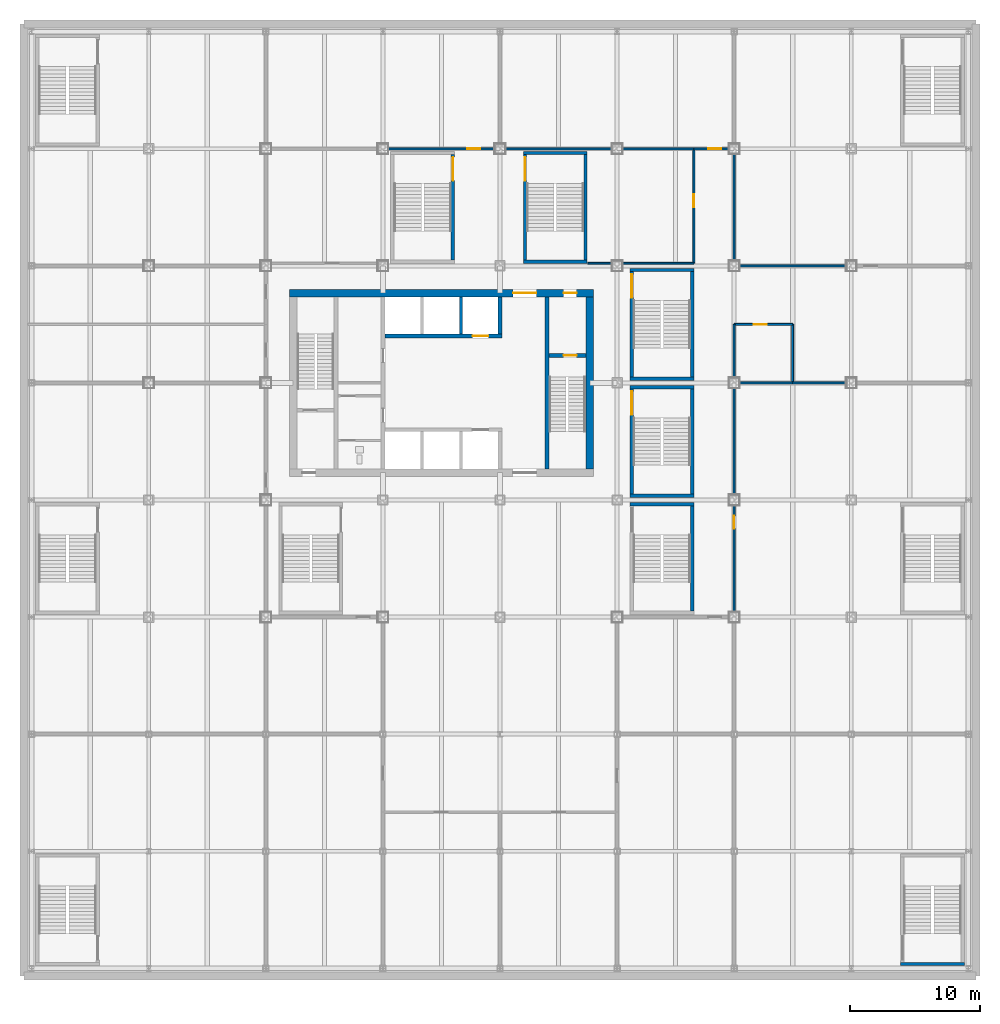
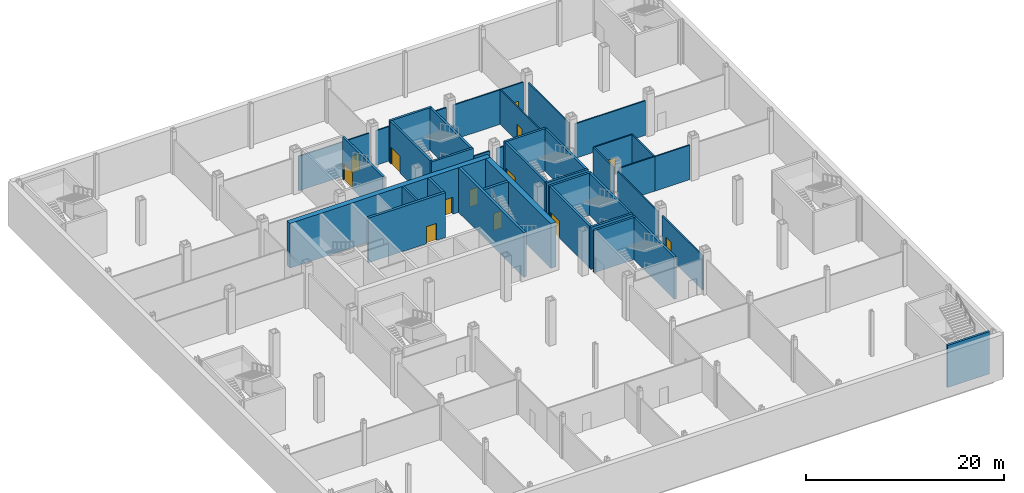
# One storey, part 10 of 27: 39 walls, 13 doors, 13 openings.
"""IFC4 building model written with IfcOpenShell, lengths in metres."""

from ifc_helpers import new_model, si_unit, direction, frame, frame_2d, origin, place, context, subcontext, project, spatial, rectangle, extrude, material, layer, layer_set, type_object, element, fill, save


model = new_model("IFC4")

# Units and contexts
model_context = context("Model", 3, precision=1e-05, world=origin(), true_north=direction((0.0, 1.0)))
body_context = subcontext(model_context, "Body", "Model", "MODEL_VIEW")
ifc_project = project(units=[si_unit("LENGTHUNIT", "METRE"), si_unit("AREAUNIT", "SQUARE_METRE"), si_unit("VOLUMEUNIT", "CUBIC_METRE"), si_unit("PLANEANGLEUNIT", "RADIAN"), si_unit("MASSUNIT", "GRAM", prefix="KILO")], contexts=[model_context])

# Site, building, storey
site_placement = place(None, origin())
site = spatial("IfcSite", under=ifc_project, at=site_placement, CompositionType="ELEMENT")
building_placement = place(site_placement, origin())
building = spatial("IfcBuilding", under=site, at=building_placement, Name="Loomwork Tower", CompositionType="ELEMENT")
storey_placement = place(building_placement, frame((0.0, 0.0, -5.5)))
storey = spatial("IfcBuildingStorey", under=building, at=storey_placement, Name="B1", CompositionType="ELEMENT", Elevation=-5.5)

# Wall, opening, door
ifc_material_1 = material(Name="Concrete 14000 psi (97 MPa)", Category="concrete")
ifc_layer_1 = layer(ifc_material_1, 0.300048828125)
ifc_layer_set_1 = layer_set([ifc_layer_1], Name="Core shear wall 300")
wall_type_1 = type_object("IfcWallType", Name="Core shear wall 300", PredefinedType="SHEAR", material=ifc_layer_set_1)
wall_1_placement = place(storey_placement, frame((18.14990234375, 21.60009765625, 0.0), z_axis=(0.0, 0.0, 1.0), x_axis=(1.0, 0.0, 0.0)))
wall_1 = element("IfcWall", 1, at=wall_1_placement, inside=storey, type_object=wall_type_1, Name="Lift front wall north B1", PredefinedType="SHEAR", context=body_context, shape_type="SweptSolid", body=[
    extrude(rectangle(XDim=9.0, YDim=0.300048828125, at=frame_2d((4.5, 0.0))), origin(), (0.0, 0.0, 1.0), 5.5),
])
opening_1_placement = place(wall_1_placement, frame((6.75, 0.0, 0.0)))
opening_1 = element("IfcOpeningElement", 2, at=opening_1_placement, cuts=wall_1, Name="Opening LD2", PredefinedType="OPENING", context=body_context, shape_type="SweptSolid", body=[
    extrude(rectangle(XDim=1.199951171875, YDim=2.10009765625, at=frame_2d((0.60009765625, 1.050048828125))), frame((0.0, 0.159912109375, 0.0), z_axis=(0.0, -1.0, 0.0), x_axis=(1.0, 0.0, 0.0)), (0.0, 0.0, 1.0), 0.320068359375),
])
ifc_material_2 = material(Name="Hollow metal door and frame")
door_type_1 = type_object("IfcDoorType", Name="Lift landing door 1200", OperationType="SLIDING_TO_LEFT", PredefinedType="DOOR", material=ifc_material_2)
door_1_placement = place(opening_1_placement, origin())
door_1 = element("IfcDoor", 3, at=door_1_placement, inside=storey, type_object=door_type_1, Name="Lift landing door LF2", OperationType="SLIDING_TO_LEFT", OverallHeight=2.10009765625, OverallWidth=1.199951171875, PredefinedType="DOOR", context=body_context, shape_type="SweptSolid", body=[
    extrude(rectangle(XDim=1.199951171875, YDim=2.10009765625, at=frame_2d((0.60009765625, 1.050048828125))), frame((0.0, 0.02490234375, 0.0), z_axis=(0.0, -1.0, 0.0), x_axis=(1.0, 0.0, 0.0)), (0.0, 0.0, 1.0), 0.050048828125),
])
fill(opening_1, door_1)

# Walls
wall_2_placement = place(storey_placement, frame((27.0, 21.75, 0.0), z_axis=(0.0, 0.0, 1.0), x_axis=(0.0, 1.0, 0.0)))
element("IfcWall", 4, at=wall_2_placement, inside=storey, type_object=wall_type_1, Name="Lift shaft end wall north B1", PredefinedType="SHEAR", context=body_context, shape_type="SweptSolid", body=[
    extrude(rectangle(XDim=2.85009765625, YDim=0.300048828125, at=frame_2d((1.425048828125, 0.0))), origin(), (0.0, 0.0, 1.0), 5.5),
])
wall_3_placement = place(storey_placement, frame((30.60009765625, 11.39990234375, 0.0), z_axis=(0.0, 0.0, 1.0), x_axis=(0.0, 1.0, 0.0)))
element("IfcWall", 5, at=wall_3_placement, inside=storey, type_object=wall_type_1, Name="Stair B west wall B1", PredefinedType="SHEAR", context=body_context, shape_type="SweptSolid", body=[
    extrude(rectangle(XDim=13.2001953125, YDim=0.300048828125, at=frame_2d((6.60009765625, 0.0))), origin(), (0.0, 0.0, 1.0), 5.5),
])

# Wall, opening, door
wall_4_placement = place(storey_placement, frame((30.75, 20.10009765625, 0.0), z_axis=(0.0, 0.0, 1.0), x_axis=(1.0, 0.0, 0.0)))
wall_4 = element("IfcWall", 6, at=wall_4_placement, inside=storey, type_object=wall_type_1, Name="Stair B north wall B1", PredefinedType="SHEAR", context=body_context, shape_type="SweptSolid", body=[
    extrude(rectangle(XDim=2.85009765625, YDim=0.300048828125, at=frame_2d((1.425048828125, 0.0))), origin(), (0.0, 0.0, 1.0), 5.5),
])
opening_2_placement = place(wall_4_placement, frame((1.14990234375, 0.0, 0.0)))
opening_2 = element("IfcOpeningElement", 7, at=opening_2_placement, cuts=wall_4, Name="Opening D4", PredefinedType="OPENING", context=body_context, shape_type="SweptSolid", body=[
    extrude(rectangle(XDim=1.0, YDim=2.10009765625, at=frame_2d((0.5, 1.050048828125))), frame((0.0, 0.159912109375, 0.0), z_axis=(0.0, -1.0, 0.0), x_axis=(1.0, 0.0, 0.0)), (0.0, 0.0, 1.0), 0.320068359375),
])
ifc_material_3 = material(Name="Hollow metal door and frame")
door_type_2 = type_object("IfcDoorType", Name="Stair door 1000", OperationType="SINGLE_SWING_RIGHT", PredefinedType="DOOR", material=ifc_material_3)
door_2_placement = place(opening_2_placement, frame((1.0, 0.0, 0.0), z_axis=(0.0, 0.0, 1.0), x_axis=(-1.0, 0.0, 0.0)))
door_2 = element("IfcDoor", 8, at=door_2_placement, inside=storey, type_object=door_type_2, Name="Stair B door", OperationType="SINGLE_SWING_LEFT", OverallHeight=2.10009765625, OverallWidth=1.0, PredefinedType="DOOR", context=body_context, shape_type="SweptSolid", body=[
    extrude(rectangle(XDim=1.0, YDim=2.10009765625, at=frame_2d((0.5, 1.050048828125))), frame((0.0, 0.02490234375, 0.0), z_axis=(0.0, -1.0, 0.0), x_axis=(1.0, 0.0, 0.0)), (0.0, 0.0, 1.0), 0.050048828125),
])
fill(opening_2, door_2)

# Wall, openings, doors
ifc_material_4 = material(Name="Concrete 14000 psi (97 MPa)", Category="concrete")
ifc_layer_2 = layer(ifc_material_4, 0.60009765625)
ifc_layer_set_2 = layer_set([ifc_layer_2], Name="Core shear wall 600")
wall_type_2 = type_object("IfcWallType", Name="Core shear wall 600", PredefinedType="SHEAR", material=ifc_layer_set_2)
wall_5_placement = place(storey_placement, frame((10.800048828125, 24.89990234375, 0.0), z_axis=(0.0, 0.0, 1.0), x_axis=(1.0, 0.0, 0.0)))
wall_5 = element("IfcWall", 9, at=wall_5_placement, inside=storey, type_object=wall_type_2, Name="Core wall north B1", PredefinedType="SHEAR", context=body_context, shape_type="SweptSolid", body=[
    extrude(rectangle(XDim=23.39990234375, YDim=0.60009765625, at=frame_2d((11.699951171875, 0.0))), origin(), (0.0, 0.0, 1.0), 5.5),
])
opening_3_placement = place(wall_5_placement, frame((17.199951171875, 0.0, 0.0)))
opening_3 = element("IfcOpeningElement", 10, at=opening_3_placement, cuts=wall_5, Name="Opening D6", PredefinedType="OPENING", context=body_context, shape_type="SweptSolid", body=[
    extrude(rectangle(XDim=1.800048828125, YDim=2.10009765625, at=frame_2d((0.89990234375, 1.050048828125))), frame((0.0, 0.31005859375, 0.0), z_axis=(0.0, -1.0, 0.0), x_axis=(1.0, 0.0, 0.0)), (0.0, 0.0, 1.0), 0.6201171875),
])
opening_4_placement = place(wall_5_placement, frame((21.10009765625, 0.0, 0.0)))
opening_4 = element("IfcOpeningElement", 11, at=opening_4_placement, cuts=wall_5, Name="Opening D4", PredefinedType="OPENING", context=body_context, shape_type="SweptSolid", body=[
    extrude(rectangle(XDim=1.0, YDim=2.10009765625, at=frame_2d((0.5, 1.050048828125))), frame((0.0, 0.31005859375, 0.0), z_axis=(0.0, -1.0, 0.0), x_axis=(1.0, 0.0, 0.0)), (0.0, 0.0, 1.0), 0.6201171875),
])
ifc_material_5 = material(Name="Hollow metal door and frame")
door_type_3 = type_object("IfcDoorType", Name="Lobby passage double door 1800", OperationType="DOUBLE_DOOR_SINGLE_SWING", PredefinedType="DOOR", material=ifc_material_5)
door_3_placement = place(opening_3_placement, frame((1.800048828125, 0.0, 0.0), z_axis=(0.0, 0.0, 1.0), x_axis=(-1.0, 0.0, 0.0)))
door_3 = element("IfcDoor", 12, at=door_3_placement, inside=storey, type_object=door_type_3, Name="Lobby passage door north", OperationType="DOUBLE_DOOR_SINGLE_SWING", OverallHeight=2.10009765625, OverallWidth=1.800048828125, PredefinedType="DOOR", context=body_context, shape_type="SweptSolid", body=[
    extrude(rectangle(XDim=1.800048828125, YDim=2.10009765625, at=frame_2d((0.89990234375, 1.050048828125))), frame((0.0, 0.02490234375, 0.0), z_axis=(0.0, -1.0, 0.0), x_axis=(1.0, 0.0, 0.0)), (0.0, 0.0, 1.0), 0.050048828125),
])
fill(opening_3, door_3)
door_4_placement = place(opening_4_placement, frame((1.0, 0.0, 0.0), z_axis=(0.0, 0.0, 1.0), x_axis=(-1.0, 0.0, 0.0)))
door_4 = element("IfcDoor", 13, at=door_4_placement, inside=storey, type_object=door_type_2, Name="Stair B vestibule door", OperationType="SINGLE_SWING_LEFT", OverallHeight=2.10009765625, OverallWidth=1.0, PredefinedType="DOOR", context=body_context, shape_type="SweptSolid", body=[
    extrude(rectangle(XDim=1.0, YDim=2.10009765625, at=frame_2d((0.5, 1.050048828125))), frame((0.0, 0.02490234375, 0.0), z_axis=(0.0, -1.0, 0.0), x_axis=(1.0, 0.0, 0.0)), (0.0, 0.0, 1.0), 0.050048828125),
])
fill(opening_4, door_4)

# Walls
wall_6_placement = place(storey_placement, frame((33.89990234375, 11.39990234375, 0.0), z_axis=(0.0, 0.0, 1.0), x_axis=(0.0, 1.0, 0.0)))
element("IfcWall", 14, at=wall_6_placement, inside=storey, type_object=wall_type_2, Name="Core wall east B1", PredefinedType="SHEAR", context=body_context, shape_type="SweptSolid", body=[
    extrude(rectangle(XDim=13.2001953125, YDim=0.60009765625, at=frame_2d((6.60009765625, 0.0))), origin(), (0.0, 0.0, 1.0), 5.5),
])
ifc_material_6 = material(Name="Concrete 14000 psi (97 MPa)", Category="concrete")
ifc_layer_3 = layer(ifc_material_6, 0.199951171875)
ifc_layer_set_3 = layer_set([ifc_layer_3], Name="Lift shaft wall 200")
wall_type_3 = type_object("IfcWallType", Name="Lift shaft wall 200", PredefinedType="SHEAR", material=ifc_layer_set_3)
wall_7_placement = place(storey_placement, frame((24.0, 21.75, 0.0), z_axis=(0.0, 0.0, 1.0), x_axis=(0.0, 1.0, 0.0)))
element("IfcWall", 15, at=wall_7_placement, inside=storey, type_object=wall_type_3, Name="Lift shaft separation wall north 2 B1", PredefinedType="SHEAR", context=body_context, shape_type="SweptSolid", body=[
    extrude(rectangle(XDim=2.85009765625, YDim=0.199951171875, at=frame_2d((1.425048828125, 0.0))), origin(), (0.0, 0.0, 1.0), 5.5),
])

# Wall, opening, door
ifc_material_7 = material(Name="Gypsum board on steel studs, one-hour", Category="steel")
ifc_layer_4 = layer(ifc_material_7, 0.14990234375)
ifc_layer_set_4 = layer_set([ifc_layer_4], Name="Partition 150")
wall_type_4 = type_object("IfcWallType", Name="Partition 150", PredefinedType="PARTITIONING", material=ifc_layer_set_4)
wall_8_placement = place(storey_placement, frame((26.60009765625, 36.0, 0.0), z_axis=(0.0, 0.0, 1.0), x_axis=(-1.0, 0.0, 0.0)))
wall_8 = element("IfcWall", 16, at=wall_8_placement, inside=storey, type_object=wall_type_4, Name="Partition B1 14.1", PredefinedType="PARTITIONING", context=body_context, shape_type="SweptSolid", body=[
    extrude(rectangle(XDim=8.2001953125, YDim=0.14990234375, at=frame_2d((4.10009765625, 0.0))), origin(), (0.0, 0.0, 1.0), 4.252685546875),
])
opening_5_placement = place(wall_8_placement, frame((1.10009765625, 0.0, 0.0)))
opening_5 = element("IfcOpeningElement", 17, at=opening_5_placement, cuts=wall_8, Name="Opening D7", PredefinedType="OPENING", context=body_context, shape_type="SweptSolid", body=[
    extrude(rectangle(XDim=1.0, YDim=2.10009765625, at=frame_2d((0.5, 1.050048828125))), frame((0.0, 0.0849609375, 0.0), z_axis=(0.0, -1.0, 0.0), x_axis=(1.0, 0.0, 0.0)), (0.0, 0.0, 1.0), 0.169921875),
])
ifc_material_8 = material(Name="Hollow metal door and frame")
door_type_4 = type_object("IfcDoorType", Name="Room door 1000", OperationType="SINGLE_SWING_LEFT", PredefinedType="DOOR", material=ifc_material_8)
door_5_placement = place(opening_5_placement, origin())
door_5 = element("IfcDoor", 18, at=door_5_placement, inside=storey, type_object=door_type_4, Name="Retail unit B1-07 door", OperationType="SINGLE_SWING_RIGHT", OverallHeight=2.10009765625, OverallWidth=1.0, PredefinedType="DOOR", context=body_context, shape_type="SweptSolid", body=[
    extrude(rectangle(XDim=1.0, YDim=2.10009765625, at=frame_2d((0.5, 1.050048828125))), frame((0.0, 0.02490234375, 0.0), z_axis=(0.0, -1.0, 0.0), x_axis=(1.0, 0.0, 0.0)), (0.0, 0.0, 1.0), 0.050048828125),
])
fill(opening_5, door_5)

# Walls
wall_9_placement = place(storey_placement, frame((41.89990234375, 36.0, 0.0), z_axis=(0.0, 0.0, 1.0), x_axis=(-1.0, 0.0, 0.0)))
element("IfcWall", 19, at=wall_9_placement, inside=storey, type_object=wall_type_4, Name="Partition B1 22.1", PredefinedType="PARTITIONING", context=body_context, shape_type="SweptSolid", body=[
    extrude(rectangle(XDim=5.5, YDim=0.14990234375, at=frame_2d((2.75, 0.0))), origin(), (0.0, 0.0, 1.0), 4.252685546875),
])
wall_10_placement = place(storey_placement, frame((35.60009765625, 36.0, 0.0), z_axis=(0.0, 0.0, 1.0), x_axis=(-1.0, 0.0, 0.0)))
element("IfcWall", 20, at=wall_10_placement, inside=storey, type_object=wall_type_4, Name="Partition B1 22.2", PredefinedType="PARTITIONING", context=body_context, shape_type="SweptSolid", body=[
    extrude(rectangle(XDim=8.2001953125, YDim=0.14990234375, at=frame_2d((4.10009765625, 0.0))), origin(), (0.0, 0.0, 1.0), 4.252685546875),
])
wall_11_placement = place(storey_placement, frame((41.89990234375, 27.199951171875, 0.0), z_axis=(0.0, 0.0, 1.0), x_axis=(-1.0, 0.0, 0.0)))
element("IfcWall", 21, at=wall_11_placement, inside=storey, type_object=wall_type_4, Name="Partition B1 24.1", PredefinedType="PARTITIONING", context=body_context, shape_type="SweptSolid", body=[
    extrude(rectangle(XDim=5.5, YDim=0.14990234375, at=frame_2d((2.75, 0.0))), origin(), (0.0, 0.0, 1.0), 4.252685546875),
])
wall_12_placement = place(storey_placement, frame((35.60009765625, 27.199951171875, 0.0), z_axis=(0.0, 0.0, 1.0), x_axis=(-1.0, 0.0, 0.0)))
element("IfcWall", 22, at=wall_12_placement, inside=storey, type_object=wall_type_4, Name="Partition B1 24.2", PredefinedType="PARTITIONING", context=body_context, shape_type="SweptSolid", body=[
    extrude(rectangle(XDim=1.85009765625, YDim=0.14990234375, at=frame_2d((0.925048828125, 0.0))), origin(), (0.0, 0.0, 1.0), 4.252685546875),
])

# Wall, opening, door
wall_13_placement = place(storey_placement, frame((41.89990234375, 36.0, 0.0), z_axis=(0.0, 0.0, 1.0), x_axis=(0.0, -1.0, 0.0)))
wall_13 = element("IfcWall", 23, at=wall_13_placement, inside=storey, type_object=wall_type_4, Name="Partition B1 30.1", PredefinedType="PARTITIONING", context=body_context, shape_type="SweptSolid", body=[
    extrude(rectangle(XDim=8.800048828125, YDim=0.14990234375, at=frame_2d((4.39990234375, 0.0))), origin(), (0.0, 0.0, 1.0), 4.251953125),
])
opening_6_placement = place(wall_13_placement, frame((3.5, 0.0, 0.0)))
opening_6 = element("IfcOpeningElement", 24, at=opening_6_placement, cuts=wall_13, Name="Opening D7", PredefinedType="OPENING", context=body_context, shape_type="SweptSolid", body=[
    extrude(rectangle(XDim=1.0, YDim=2.10009765625, at=frame_2d((0.5, 1.050048828125))), frame((0.0, 0.0849609375, 0.0), z_axis=(0.0, -1.0, 0.0), x_axis=(1.0, 0.0, 0.0)), (0.0, 0.0, 1.0), 0.169921875),
])
door_6_placement = place(opening_6_placement, frame((1.0, 0.0, 0.0), z_axis=(0.0, 0.0, 1.0), x_axis=(-1.0, 0.0, 0.0)))
door_6 = element("IfcDoor", 25, at=door_6_placement, inside=storey, type_object=door_type_4, Name="Retail unit B1-12 door", OperationType="SINGLE_SWING_RIGHT", OverallHeight=2.10009765625, OverallWidth=1.0, PredefinedType="DOOR", context=body_context, shape_type="SweptSolid", body=[
    extrude(rectangle(XDim=1.0, YDim=2.10009765625, at=frame_2d((0.5, 1.050048828125))), frame((0.0, 0.02490234375, 0.0), z_axis=(0.0, -1.0, 0.0), x_axis=(1.0, 0.0, 0.0)), (0.0, 0.0, 1.0), 0.050048828125),
])
fill(opening_6, door_6)

wall_14_placement = place(storey_placement, frame((44.60009765625, 36.0, 0.0), z_axis=(0.0, 0.0, 1.0), x_axis=(-1.0, 0.0, 0.0)))
wall_14 = element("IfcWall", 26, at=wall_14_placement, inside=storey, type_object=wall_type_4, Name="Partition B1 31.1", PredefinedType="PARTITIONING", context=body_context, shape_type="SweptSolid", body=[
    extrude(rectangle(XDim=2.7001953125, YDim=0.14990234375, at=frame_2d((1.35009765625, 0.0))), origin(), (0.0, 0.0, 1.0), 4.252685546875),
])
opening_7_placement = place(wall_14_placement, frame((0.60009765625, 0.0, 0.0)))
opening_7 = element("IfcOpeningElement", 27, at=opening_7_placement, cuts=wall_14, Name="Opening D7", PredefinedType="OPENING", context=body_context, shape_type="SweptSolid", body=[
    extrude(rectangle(XDim=1.0, YDim=2.10009765625, at=frame_2d((0.5, 1.050048828125))), frame((0.0, 0.0849609375, 0.0), z_axis=(0.0, -1.0, 0.0), x_axis=(1.0, 0.0, 0.0)), (0.0, 0.0, 1.0), 0.169921875),
])
door_7_placement = place(opening_7_placement, origin())
door_7 = element("IfcDoor", 28, at=door_7_placement, inside=storey, type_object=door_type_4, Name="Retail unit B1-08 door", OperationType="SINGLE_SWING_LEFT", OverallHeight=2.10009765625, OverallWidth=1.0, PredefinedType="DOOR", context=body_context, shape_type="SweptSolid", body=[
    extrude(rectangle(XDim=1.0, YDim=2.10009765625, at=frame_2d((0.5, 1.050048828125))), frame((0.0, 0.02490234375, 0.0), z_axis=(0.0, -1.0, 0.0), x_axis=(1.0, 0.0, 0.0)), (0.0, 0.0, 1.0), 0.050048828125),
])
fill(opening_7, door_7)

wall_15_placement = place(storey_placement, frame((45.0, 0.39990234375, 0.0), z_axis=(0.0, 0.0, 1.0), x_axis=(0.0, 1.0, 0.0)))
wall_15 = element("IfcWall", 29, at=wall_15_placement, inside=storey, type_object=wall_type_4, Name="Partition B1 35.1", PredefinedType="PARTITIONING", context=body_context, shape_type="SweptSolid", body=[
    extrude(rectangle(XDim=8.2001953125, YDim=0.14990234375, at=frame_2d((4.10009765625, 0.0))), origin(), (0.0, 0.0, 1.0), 4.252685546875),
])
opening_8_placement = place(wall_15_placement, frame((6.39990234375, 0.0, 0.0)))
opening_8 = element("IfcOpeningElement", 30, at=opening_8_placement, cuts=wall_15, Name="Opening D7", PredefinedType="OPENING", context=body_context, shape_type="SweptSolid", body=[
    extrude(rectangle(XDim=1.0, YDim=2.10009765625, at=frame_2d((0.5, 1.050048828125))), frame((0.0, 0.0849609375, 0.0), z_axis=(0.0, -1.0, 0.0), x_axis=(1.0, 0.0, 0.0)), (0.0, 0.0, 1.0), 0.169921875),
])
door_8_placement = place(opening_8_placement, origin())
door_8 = element("IfcDoor", 31, at=door_8_placement, inside=storey, type_object=door_type_4, Name="Retail unit B1-04 door", OperationType="SINGLE_SWING_RIGHT", OverallHeight=2.10009765625, OverallWidth=1.0, PredefinedType="DOOR", context=body_context, shape_type="SweptSolid", body=[
    extrude(rectangle(XDim=1.0, YDim=2.10009765625, at=frame_2d((0.5, 1.050048828125))), frame((0.0, 0.02490234375, 0.0), z_axis=(0.0, -1.0, 0.0), x_axis=(1.0, 0.0, 0.0)), (0.0, 0.0, 1.0), 0.050048828125),
])
fill(opening_8, door_8)

# Walls
wall_16_placement = place(storey_placement, frame((45.0, 9.39990234375, 0.0), z_axis=(0.0, 0.0, 1.0), x_axis=(0.0, 1.0, 0.0)))
element("IfcWall", 32, at=wall_16_placement, inside=storey, type_object=wall_type_4, Name="Partition B1 35.2", PredefinedType="PARTITIONING", context=body_context, shape_type="SweptSolid", body=[
    extrude(rectangle(XDim=8.2001953125, YDim=0.14990234375, at=frame_2d((4.10009765625, 0.0))), origin(), (0.0, 0.0, 1.0), 4.252685546875),
])
for number, where, z_axis, x_axis, name in (
    (33, (45.39990234375, 18.0, 0.0), (0.0, 0.0, 1.0), (1.0, 0.0, 0.0), "Partition B1 36.1"),
    (34, (45.0, 18.39990234375, 0.0), (0.0, 0.0, 1.0), (0.0, 1.0, 0.0), "Partition B1 37.1"),
):
    element("IfcWall", number, at=place(storey_placement, frame(where, z_axis=z_axis, x_axis=x_axis)), inside=storey, type_object=wall_type_4, Name=name, PredefinedType="PARTITIONING", context=body_context, shape_type="SweptSolid", body=[
        extrude(rectangle(XDim=4.10009765625, YDim=0.14990234375, at=frame_2d((2.050048828125, 0.0))), origin(), (0.0, 0.0, 1.0), 4.252685546875),
    ])

# Wall, opening, door
wall_17_placement = place(storey_placement, frame((45.0, 22.5, 0.0), z_axis=(0.0, 0.0, 1.0), x_axis=(1.0, 0.0, 0.0)))
wall_17 = element("IfcWall", 35, at=wall_17_placement, inside=storey, type_object=wall_type_4, Name="Partition B1 38.1", PredefinedType="PARTITIONING", context=body_context, shape_type="SweptSolid", body=[
    extrude(rectangle(XDim=4.5, YDim=0.14990234375, at=frame_2d((2.25, 0.0))), origin(), (0.0, 0.0, 1.0), 4.251953125),
])
opening_9_placement = place(wall_17_placement, frame((1.5, 0.0, 0.0)))
opening_9 = element("IfcOpeningElement", 36, at=opening_9_placement, cuts=wall_17, Name="Opening D8", PredefinedType="OPENING", context=body_context, shape_type="SweptSolid", body=[
    extrude(rectangle(XDim=1.0, YDim=2.10009765625, at=frame_2d((0.5, 1.050048828125))), frame((0.0, 0.0849609375, 0.0), z_axis=(0.0, -1.0, 0.0), x_axis=(1.0, 0.0, 0.0)), (0.0, 0.0, 1.0), 0.169921875),
])
ifc_material_9 = material(Name="Hollow metal door and frame")
door_type_5 = type_object("IfcDoorType", Name="WC door 1000", OperationType="SINGLE_SWING_LEFT", PredefinedType="DOOR", material=ifc_material_9)
door_9_placement = place(opening_9_placement, frame((1.0, 0.0, 0.0), z_axis=(0.0, 0.0, 1.0), x_axis=(-1.0, 0.0, 0.0)))
door_9 = element("IfcDoor", 37, at=door_9_placement, inside=storey, type_object=door_type_5, Name="Accessible WC door", OperationType="SINGLE_SWING_RIGHT", OverallHeight=2.10009765625, OverallWidth=1.0, PredefinedType="DOOR", context=body_context, shape_type="SweptSolid", body=[
    extrude(rectangle(XDim=1.0, YDim=2.10009765625, at=frame_2d((0.5, 1.050048828125))), frame((0.0, 0.02490234375, 0.0), z_axis=(0.0, -1.0, 0.0), x_axis=(1.0, 0.0, 0.0)), (0.0, 0.0, 1.0), 0.050048828125),
])
fill(opening_9, door_9)

# Walls
for number, where, z_axis, x_axis, name in (
    (38, (53.60009765625, 27.0, 0.0), (0.0, 0.0, 1.0), (-1.0, 0.0, 0.0), "Partition B1 39.2"),
    (39, (45.0, 27.39990234375, 0.0), (0.0, 0.0, 1.0), (0.0, 1.0, 0.0), "Partition B1 40.1"),
):
    element("IfcWall", number, at=place(storey_placement, frame(where, z_axis=z_axis, x_axis=x_axis)), inside=storey, type_object=wall_type_4, Name=name, PredefinedType="PARTITIONING", context=body_context, shape_type="SweptSolid", body=[
        extrude(rectangle(XDim=8.2001953125, YDim=0.14990234375, at=frame_2d((4.10009765625, 0.0))), origin(), (0.0, 0.0, 1.0), 4.252685546875),
    ])
wall_18_placement = place(storey_placement, frame((49.5, 22.5, 0.0), z_axis=(0.0, 0.0, 1.0), x_axis=(0.0, -1.0, 0.0)))
element("IfcWall", 40, at=wall_18_placement, inside=storey, type_object=wall_type_4, Name="Partition B1 42.1", PredefinedType="PARTITIONING", context=body_context, shape_type="SweptSolid", body=[
    extrude(rectangle(XDim=4.5, YDim=0.14990234375, at=frame_2d((2.25, 0.0))), origin(), (0.0, 0.0, 1.0), 4.251953125),
])
wall_19_placement = place(storey_placement, frame((49.5, 18.0, 0.0), z_axis=(0.0, 0.0, 1.0), x_axis=(1.0, 0.0, 0.0)))
element("IfcWall", 41, at=wall_19_placement, inside=storey, type_object=wall_type_4, Name="Partition B1 43.1", PredefinedType="PARTITIONING", context=body_context, shape_type="SweptSolid", body=[
    extrude(rectangle(XDim=4.10009765625, YDim=0.14990234375, at=frame_2d((2.050048828125, 0.0))), origin(), (0.0, 0.0, 1.0), 4.252685546875),
])
ifc_material_10 = material(Name="Concrete masonry, two-hour", Category="masonry")
ifc_layer_5 = layer(ifc_material_10, 0.25)
ifc_layer_set_5 = layer_set([ifc_layer_5], Name="Stair enclosure wall 250")
wall_type_5 = type_object("IfcWallType", Name="Stair enclosure wall 250", PredefinedType="SOLIDWALL", material=ifc_layer_set_5)
for number, where, z_axis, x_axis, name in (
    (42, (57.800048828125, -26.675048828125, 0.0), (0.0, 0.0, 1.0), (1.0, 0.0, 0.0), "Stair PS2 enclosure wall S B1"),
    (43, (37.0, 8.675048828125, 0.0), (0.0, 0.0, 1.0), (1.0, 0.0, 0.0), "Stair PS7 enclosure wall N B1"),
):
    element("IfcWall", number, at=place(storey_placement, frame(where, z_axis=z_axis, x_axis=x_axis)), inside=storey, type_object=wall_type_5, Name=name, PredefinedType="SOLIDWALL", context=body_context, shape_type="SweptSolid", body=[
        extrude(rectangle(XDim=4.89990234375, YDim=0.25, at=frame_2d((2.449951171875, 0.0))), origin(), (0.0, 0.0, 1.0), 5.199951171875),
    ])
wall_20_placement = place(storey_placement, frame((41.77490234375, 0.449951171875, 0.0), z_axis=(0.0, 0.0, 1.0), x_axis=(0.0, 1.0, 0.0)))
element("IfcWall", 44, at=wall_20_placement, inside=storey, type_object=wall_type_5, Name="Stair PS7 enclosure wall E B1", PredefinedType="SOLIDWALL", context=body_context, shape_type="SweptSolid", body=[
    extrude(rectangle(XDim=8.10009765625, YDim=0.25, at=frame_2d((4.050048828125, 0.0))), origin(), (0.0, 0.0, 1.0), 5.199951171875),
])
for number, where, z_axis, x_axis, name in (
    (45, (37.0, 9.324951171875, 0.0), (0.0, 0.0, 1.0), (1.0, 0.0, 0.0), "Stair PS8 enclosure wall S B1"),
    (46, (37.0, 17.675048828125, 0.0), (0.0, 0.0, 1.0), (1.0, 0.0, 0.0), "Stair PS8 enclosure wall N B1"),
):
    element("IfcWall", number, at=place(storey_placement, frame(where, z_axis=z_axis, x_axis=x_axis)), inside=storey, type_object=wall_type_5, Name=name, PredefinedType="SOLIDWALL", context=body_context, shape_type="SweptSolid", body=[
        extrude(rectangle(XDim=4.89990234375, YDim=0.25, at=frame_2d((2.449951171875, 0.0))), origin(), (0.0, 0.0, 1.0), 5.199951171875),
    ])

# Wall, opening, door
wall_21_placement = place(storey_placement, frame((37.125, 9.449951171875, 0.0), z_axis=(0.0, 0.0, 1.0), x_axis=(0.0, 1.0, 0.0)))
wall_21 = element("IfcWall", 47, at=wall_21_placement, inside=storey, type_object=wall_type_5, Name="Stair PS8 enclosure wall W B1", PredefinedType="SOLIDWALL", context=body_context, shape_type="SweptSolid", body=[
    extrude(rectangle(XDim=8.10009765625, YDim=0.25, at=frame_2d((4.050048828125, 0.0))), origin(), (0.0, 0.0, 1.0), 5.199951171875),
])
opening_10_placement = place(wall_21_placement, frame((6.10009765625, 0.0, 0.0)))
opening_10 = element("IfcOpeningElement", 48, at=opening_10_placement, cuts=wall_21, Name="Opening D14", PredefinedType="OPENING", context=body_context, shape_type="SweptSolid", body=[
    extrude(rectangle(XDim=1.800048828125, YDim=2.10009765625, at=frame_2d((0.89990234375, 1.050048828125))), frame((0.0, 0.135009765625, 0.0), z_axis=(0.0, -1.0, 0.0), x_axis=(1.0, 0.0, 0.0)), (0.0, 0.0, 1.0), 0.27001953125),
])
ifc_material_11 = material(Name="Hollow metal door and frame")
door_type_6 = type_object("IfcDoorType", Name="Stair double door 1800", OperationType="DOUBLE_DOOR_SINGLE_SWING", PredefinedType="DOOR", material=ifc_material_11)
door_10_placement = place(opening_10_placement, frame((1.800048828125, 0.0, 0.0), z_axis=(0.0, 0.0, 1.0), x_axis=(-1.0, 0.0, 0.0)))
door_10 = element("IfcDoor", 49, at=door_10_placement, inside=storey, type_object=door_type_6, Name="Stair PS8 door B1", OperationType="DOUBLE_DOOR_SINGLE_SWING", OverallHeight=2.10009765625, OverallWidth=1.800048828125, PredefinedType="DOOR", context=body_context, shape_type="SweptSolid", body=[
    extrude(rectangle(XDim=1.800048828125, YDim=2.10009765625, at=frame_2d((0.89990234375, 1.050048828125))), frame((0.0, 0.02490234375, 0.0), z_axis=(0.0, -1.0, 0.0), x_axis=(1.0, 0.0, 0.0)), (0.0, 0.0, 1.0), 0.050048828125),
])
fill(opening_10, door_10)

# Walls
wall_22_placement = place(storey_placement, frame((41.77490234375, 9.449951171875, 0.0), z_axis=(0.0, 0.0, 1.0), x_axis=(0.0, 1.0, 0.0)))
element("IfcWall", 50, at=wall_22_placement, inside=storey, type_object=wall_type_5, Name="Stair PS8 enclosure wall E B1", PredefinedType="SOLIDWALL", context=body_context, shape_type="SweptSolid", body=[
    extrude(rectangle(XDim=8.10009765625, YDim=0.25, at=frame_2d((4.050048828125, 0.0))), origin(), (0.0, 0.0, 1.0), 5.199951171875),
])
for number, where, z_axis, x_axis, name in (
    (51, (37.0, 18.324951171875, 0.0), (0.0, 0.0, 1.0), (1.0, 0.0, 0.0), "Stair PS9 enclosure wall S B1"),
    (52, (37.0, 26.675048828125, 0.0), (0.0, 0.0, 1.0), (1.0, 0.0, 0.0), "Stair PS9 enclosure wall N B1"),
):
    element("IfcWall", number, at=place(storey_placement, frame(where, z_axis=z_axis, x_axis=x_axis)), inside=storey, type_object=wall_type_5, Name=name, PredefinedType="SOLIDWALL", context=body_context, shape_type="SweptSolid", body=[
        extrude(rectangle(XDim=4.89990234375, YDim=0.25, at=frame_2d((2.449951171875, 0.0))), origin(), (0.0, 0.0, 1.0), 5.199951171875),
    ])

# Wall, opening, door
wall_23_placement = place(storey_placement, frame((37.125, 18.449951171875, 0.0), z_axis=(0.0, 0.0, 1.0), x_axis=(0.0, 1.0, 0.0)))
wall_23 = element("IfcWall", 53, at=wall_23_placement, inside=storey, type_object=wall_type_5, Name="Stair PS9 enclosure wall W B1", PredefinedType="SOLIDWALL", context=body_context, shape_type="SweptSolid", body=[
    extrude(rectangle(XDim=8.10009765625, YDim=0.25, at=frame_2d((4.050048828125, 0.0))), origin(), (0.0, 0.0, 1.0), 5.199951171875),
])
opening_11_placement = place(wall_23_placement, frame((6.10009765625, 0.0, 0.0)))
opening_11 = element("IfcOpeningElement", 54, at=opening_11_placement, cuts=wall_23, Name="Opening D14", PredefinedType="OPENING", context=body_context, shape_type="SweptSolid", body=[
    extrude(rectangle(XDim=1.800048828125, YDim=2.10009765625, at=frame_2d((0.89990234375, 1.050048828125))), frame((0.0, 0.135009765625, 0.0), z_axis=(0.0, -1.0, 0.0), x_axis=(1.0, 0.0, 0.0)), (0.0, 0.0, 1.0), 0.27001953125),
])
door_11_placement = place(opening_11_placement, frame((1.800048828125, 0.0, 0.0), z_axis=(0.0, 0.0, 1.0), x_axis=(-1.0, 0.0, 0.0)))
door_11 = element("IfcDoor", 55, at=door_11_placement, inside=storey, type_object=door_type_6, Name="Stair PS9 door B1", OperationType="DOUBLE_DOOR_SINGLE_SWING", OverallHeight=2.10009765625, OverallWidth=1.800048828125, PredefinedType="DOOR", context=body_context, shape_type="SweptSolid", body=[
    extrude(rectangle(XDim=1.800048828125, YDim=2.10009765625, at=frame_2d((0.89990234375, 1.050048828125))), frame((0.0, 0.02490234375, 0.0), z_axis=(0.0, -1.0, 0.0), x_axis=(1.0, 0.0, 0.0)), (0.0, 0.0, 1.0), 0.050048828125),
])
fill(opening_11, door_11)

# Wall
wall_24_placement = place(storey_placement, frame((41.77490234375, 18.449951171875, 0.0), z_axis=(0.0, 0.0, 1.0), x_axis=(0.0, 1.0, 0.0)))
element("IfcWall", 56, at=wall_24_placement, inside=storey, type_object=wall_type_5, Name="Stair PS9 enclosure wall E B1", PredefinedType="SOLIDWALL", context=body_context, shape_type="SweptSolid", body=[
    extrude(rectangle(XDim=8.10009765625, YDim=0.25, at=frame_2d((4.050048828125, 0.0))), origin(), (0.0, 0.0, 1.0), 5.199951171875),
])

# Wall, opening, door
wall_25_placement = place(storey_placement, frame((23.375, 27.449951171875, 0.0), z_axis=(0.0, 0.0, 1.0), x_axis=(0.0, 1.0, 0.0)))
wall_25 = element("IfcWall", 57, at=wall_25_placement, inside=storey, type_object=wall_type_5, Name="Stair PS10 enclosure wall E B1", PredefinedType="SOLIDWALL", context=body_context, shape_type="SweptSolid", body=[
    extrude(rectangle(XDim=8.10009765625, YDim=0.25, at=frame_2d((4.050048828125, 0.0))), origin(), (0.0, 0.0, 1.0), 5.199951171875),
])
opening_12_placement = place(wall_25_placement, frame((6.10009765625, 0.0, 0.0)))
opening_12 = element("IfcOpeningElement", 58, at=opening_12_placement, cuts=wall_25, Name="Opening D14", PredefinedType="OPENING", context=body_context, shape_type="SweptSolid", body=[
    extrude(rectangle(XDim=1.800048828125, YDim=2.10009765625, at=frame_2d((0.89990234375, 1.050048828125))), frame((0.0, 0.135009765625, 0.0), z_axis=(0.0, -1.0, 0.0), x_axis=(1.0, 0.0, 0.0)), (0.0, 0.0, 1.0), 0.27001953125),
])
door_12_placement = place(opening_12_placement, origin())
door_12 = element("IfcDoor", 59, at=door_12_placement, inside=storey, type_object=door_type_6, Name="Stair PS10 door B1", OperationType="DOUBLE_DOOR_SINGLE_SWING", OverallHeight=2.10009765625, OverallWidth=1.800048828125, PredefinedType="DOOR", context=body_context, shape_type="SweptSolid", body=[
    extrude(rectangle(XDim=1.800048828125, YDim=2.10009765625, at=frame_2d((0.89990234375, 1.050048828125))), frame((0.0, 0.02490234375, 0.0), z_axis=(0.0, -1.0, 0.0), x_axis=(1.0, 0.0, 0.0)), (0.0, 0.0, 1.0), 0.050048828125),
])
fill(opening_12, door_12)

# Walls
for number, where, z_axis, x_axis, name in (
    (60, (28.800048828125, 27.324951171875, 0.0), (0.0, 0.0, 1.0), (1.0, 0.0, 0.0), "Stair PS11 enclosure wall S B1"),
    (61, (28.800048828125, 35.675048828125, 0.0), (0.0, 0.0, 1.0), (1.0, 0.0, 0.0), "Stair PS11 enclosure wall N B1"),
):
    element("IfcWall", number, at=place(storey_placement, frame(where, z_axis=z_axis, x_axis=x_axis)), inside=storey, type_object=wall_type_5, Name=name, PredefinedType="SOLIDWALL", context=body_context, shape_type="SweptSolid", body=[
        extrude(rectangle(XDim=4.89990234375, YDim=0.25, at=frame_2d((2.449951171875, 0.0))), origin(), (0.0, 0.0, 1.0), 5.199951171875),
    ])

# Wall, opening, door
wall_26_placement = place(storey_placement, frame((28.925048828125, 27.449951171875, 0.0), z_axis=(0.0, 0.0, 1.0), x_axis=(0.0, 1.0, 0.0)))
wall_26 = element("IfcWall", 62, at=wall_26_placement, inside=storey, type_object=wall_type_5, Name="Stair PS11 enclosure wall W B1", PredefinedType="SOLIDWALL", context=body_context, shape_type="SweptSolid", body=[
    extrude(rectangle(XDim=8.10009765625, YDim=0.25, at=frame_2d((4.050048828125, 0.0))), origin(), (0.0, 0.0, 1.0), 5.199951171875),
])
opening_13_placement = place(wall_26_placement, frame((6.10009765625, 0.0, 0.0)))
opening_13 = element("IfcOpeningElement", 63, at=opening_13_placement, cuts=wall_26, Name="Opening D14", PredefinedType="OPENING", context=body_context, shape_type="SweptSolid", body=[
    extrude(rectangle(XDim=1.800048828125, YDim=2.10009765625, at=frame_2d((0.89990234375, 1.050048828125))), frame((0.0, 0.135009765625, 0.0), z_axis=(0.0, -1.0, 0.0), x_axis=(1.0, 0.0, 0.0)), (0.0, 0.0, 1.0), 0.27001953125),
])
door_13_placement = place(opening_13_placement, frame((1.800048828125, 0.0, 0.0), z_axis=(0.0, 0.0, 1.0), x_axis=(-1.0, 0.0, 0.0)))
door_13 = element("IfcDoor", 64, at=door_13_placement, inside=storey, type_object=door_type_6, Name="Stair PS11 door B1", OperationType="DOUBLE_DOOR_SINGLE_SWING", OverallHeight=2.10009765625, OverallWidth=1.800048828125, PredefinedType="DOOR", context=body_context, shape_type="SweptSolid", body=[
    extrude(rectangle(XDim=1.800048828125, YDim=2.10009765625, at=frame_2d((0.89990234375, 1.050048828125))), frame((0.0, 0.02490234375, 0.0), z_axis=(0.0, -1.0, 0.0), x_axis=(1.0, 0.0, 0.0)), (0.0, 0.0, 1.0), 0.050048828125),
])
fill(opening_13, door_13)

# Wall
wall_27_placement = place(storey_placement, frame((33.574951171875, 27.449951171875, 0.0), z_axis=(0.0, 0.0, 1.0), x_axis=(0.0, 1.0, 0.0)))
element("IfcWall", 65, at=wall_27_placement, inside=storey, type_object=wall_type_5, Name="Stair PS11 enclosure wall E B1", PredefinedType="SOLIDWALL", context=body_context, shape_type="SweptSolid", body=[
    extrude(rectangle(XDim=8.10009765625, YDim=0.25, at=frame_2d((4.050048828125, 0.0))), origin(), (0.0, 0.0, 1.0), 5.199951171875),
])

save(model, "model.ifc")
